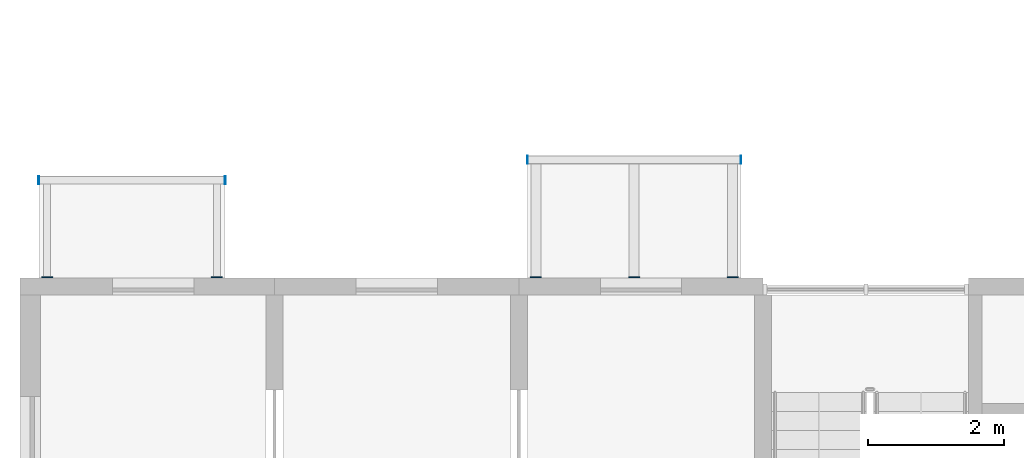
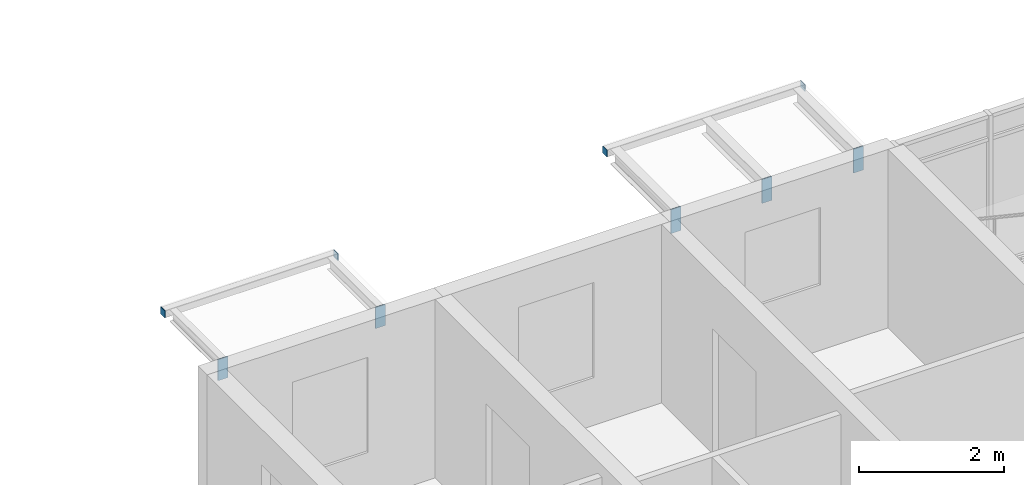
# One storey, part 65 of 100: 9 discrete accessories.
"""IFC4 building model written with IfcOpenShell, lengths in metres."""

import ifcopenshell
import ifcopenshell.guid

model = None  # the IFC model being written
_history = None  # IfcOwnerHistory: only IFC2X3 demands one
_inside = {}  # id of a spatial element -> (the spatial element, [elements in it])
_under = {}  # id of a project, library or spatial element -> (it, [spatial elements below it])
_declared = {}  # id of a project -> (the project, [libraries it declares])
_typed = {}  # id of a type object -> (the type object, [elements of that type])
_made_of = {}  # id of a material, layer set ... -> (it, [elements and type objects made of it])


def new_model(schema):
    """Start an empty IFC model of exactly this schema.

    Asked for "IFC4X3", IfcOpenShell would pick the latest addendum, in which some entities
    have other attributes; the version numbers below select the first issue.
    IFC2X3 requires an IfcOwnerHistory on every rooted entity: one is made here for all.
    """
    global model, _history
    if schema == "IFC4X3":
        model = ifcopenshell.file(schema_version=(4, 3, 0, 0))
    else:
        model = ifcopenshell.file(schema=schema)
    _inside.clear()
    _under.clear()
    _declared.clear()
    _typed.clear()
    _made_of.clear()
    _history = None
    if model.schema == "IFC2X3":
        org = make("IfcOrganization", Name="unknown")
        user = make(
            "IfcPersonAndOrganization",
            ThePerson=make("IfcPerson", FamilyName="unknown"),
            TheOrganization=org,
        )
        app = make(
            "IfcApplication",
            ApplicationDeveloper=org,
            Version="unknown",
            ApplicationFullName="unknown",
            ApplicationIdentifier="unknown",
        )
        _history = make(
            "IfcOwnerHistory",
            OwningUser=user,
            OwningApplication=app,
            ChangeAction="ADDED",
            CreationDate=0,
        )
    return model


def make(cls, **values):
    """One entity of the class cls with the attributes given. An attribute that is None is left unset."""
    return model.create_entity(
        cls, **{name: value for name, value in values.items() if value is not None}
    )


def rooted(cls, **values):
    """An entity with a GlobalId (a new one), such as an element, a storey or a relation."""
    return make(cls, GlobalId=ifcopenshell.guid.new(), OwnerHistory=_history, **values)


def si_unit(unit_type, name, prefix=None):
    """IfcSIUnit, for example si_unit("LENGTHUNIT", "METRE", prefix="MILLI")."""
    return make("IfcSIUnit", UnitType=unit_type, Prefix=prefix, Name=name)


def assignment(units):
    """IfcUnitAssignment: the units of a project."""
    return None if units is None else make("IfcUnitAssignment", Units=units)


def point(xyz):
    """IfcCartesianPoint."""
    return None if xyz is None else make("IfcCartesianPoint", Coordinates=xyz)


def direction(xyz):
    """IfcDirection."""
    return None if xyz is None else make("IfcDirection", DirectionRatios=xyz)


def frame(location, z_axis=None, x_axis=None):
    """IfcAxis2Placement3D, a coordinate frame: its origin and axes. An axis left out is left unset."""
    return make(
        "IfcAxis2Placement3D",
        Location=point(location),
        Axis=direction(z_axis),
        RefDirection=direction(x_axis),
    )


def frame_2d(location, x_axis=None):
    """IfcAxis2Placement2D, a coordinate frame in the plane: its origin and x axis."""
    return make(
        "IfcAxis2Placement2D", Location=point(location), RefDirection=direction(x_axis)
    )


def origin():
    """The frame at (0, 0, 0) with its axes left unset."""
    return frame((0.0, 0.0, 0.0))


def origin_2d():
    """The frame at (0, 0) in the plane with its x axis left unset."""
    return frame_2d((0.0, 0.0))


def place(relative_to, where):
    """IfcLocalPlacement: puts the frame where relative to a parent placement (None: the world)."""
    return make(
        "IfcLocalPlacement", PlacementRelTo=relative_to, RelativePlacement=where
    )


def context(
    kind, dimensions, precision=None, world=None, true_north=None, identifier=None
):
    """IfcGeometricRepresentationContext, for example the 3D "Model" context."""
    return make(
        "IfcGeometricRepresentationContext",
        ContextIdentifier=identifier,
        ContextType=kind,
        CoordinateSpaceDimension=dimensions,
        Precision=precision,
        WorldCoordinateSystem=world,
        TrueNorth=true_north,
    )


def subcontext(parent, identifier, kind, view, scale=None):
    """IfcGeometricRepresentationSubContext, for example "Body" below "Model"."""
    return make(
        "IfcGeometricRepresentationSubContext",
        ContextIdentifier=identifier,
        ContextType=kind,
        ParentContext=parent,
        TargetScale=scale,
        TargetView=view,
    )


def project(units=None, contexts=None):
    """IfcProject with its units and contexts."""
    return rooted(
        "IfcProject",
        Name="project",
        RepresentationContexts=contexts,
        UnitsInContext=assignment(units),
    )


def spatial(cls, under=None, at=None, **own):
    """A site, building, storey or space (cls), placed at a placement, below another one or the project."""
    s = rooted(cls, ObjectPlacement=at, **own)
    if under is not None:
        _under.setdefault(under.id(), (under, []))[1].append(s)
    return s


def profile(cls, at=None, kind="AREA", **sizes):
    """A parametric profile (cls). Its sizes go by their IFC names, for example OverallWidth=200.0."""
    return make(cls, ProfileType=kind, Position=at, **sizes)


def rectangle(**sizes):
    """IfcRectangleProfileDef."""
    return profile("IfcRectangleProfileDef", **sizes)


def extrude(swept, where, along, depth):
    """IfcExtrudedAreaSolid: the profile swept, set in the frame where, extruded along a direction by depth."""
    return make(
        "IfcExtrudedAreaSolid",
        SweptArea=swept,
        Position=where,
        ExtrudedDirection=direction(along),
        Depth=depth,
    )


def shape(context_of_items, identifier, shape_type, items):
    """IfcShapeRepresentation: the items that make up one representation, for example the "Body"."""
    return make(
        "IfcShapeRepresentation",
        ContextOfItems=context_of_items,
        RepresentationIdentifier=identifier,
        RepresentationType=shape_type,
        Items=items,
    )


def material(Name=None, Category=None):
    """IfcMaterial."""
    return make("IfcMaterial", Name=Name, Category=Category)


def layer(
    of_material, thickness, ventilated=None, Name=None, Category=None, Priority=None
):
    """IfcMaterialLayer: one layer of a wall or slab, of a material (None: an air gap)."""
    return make(
        "IfcMaterialLayer",
        Material=of_material,
        LayerThickness=thickness,
        IsVentilated=ventilated,
        Name=Name,
        Category=Category,
        Priority=Priority,
    )


def layer_set(layers, Name=None):
    """IfcMaterialLayerSet."""
    return make("IfcMaterialLayerSet", MaterialLayers=layers, LayerSetName=Name)


def made_of(thing, what):
    """Note that an element or type object is made of a material, layer set ...; save() writes the relation."""
    if what is not None:
        _made_of.setdefault(what.id(), (what, []))[1].append(thing)
    return thing


def type_object(cls, material=None, **own):
    """A type object (cls), such as IfcWallType, which elements share."""
    return made_of(rooted(cls, **own), material)


def element(
    cls,
    number,
    at=None,
    inside=None,
    cuts=None,
    type_object=None,
    material=None,
    context=None,
    identifier="Body",
    shape_type=None,
    held_by="IfcProductDefinitionShape",
    body=None,
    shapes=None,
    **own,
):
    """One element of the class cls, such as IfcWall. Its Tag is "e" and its number.

    at: its placement. inside: the storey or other place that contains it. cuts: it is an
    opening in that element (IfcRelVoidsElement). A single representation is given by context,
    identifier, shape_type and body (its items); several are given by shapes. held_by: the class
    of the entity that holds the representations. save() writes the other relations.
    """
    e = rooted(cls, Tag="e%d" % number, ObjectPlacement=at, **own)
    if body is not None:
        shapes = [shape(context, identifier, shape_type, body)]
    if shapes is not None:
        e.Representation = make(held_by, Representations=shapes)
    if inside is not None:
        _inside.setdefault(inside.id(), (inside, []))[1].append(e)
    if cuts is not None:
        rooted(
            "IfcRelVoidsElement", RelatingBuildingElement=cuts, RelatedOpeningElement=e
        )
    if type_object is not None:
        _typed.setdefault(type_object.id(), (type_object, []))[1].append(e)
    return made_of(e, material)


def aggregate(whole, parts):
    """IfcRelAggregates: a whole, such as a stair, and the parts it consists of."""
    return rooted("IfcRelAggregates", RelatingObject=whole, RelatedObjects=parts)


def save(model, path):
    """Write the relations noted so far, then the file.

    IfcRelAggregates (storeys below a building ...), IfcRelContainedInSpatialStructure (elements
    in a storey), IfcRelDefinesByType, IfcRelAssociatesMaterial and IfcRelDeclares: one each for
    every whole, place, type object, material and project.
    """
    for whole, parts in _under.values():
        aggregate(whole, parts)
    for where, things in _inside.values():
        rooted(
            "IfcRelContainedInSpatialStructure",
            RelatedElements=things,
            RelatingStructure=where,
        )
    for kind, things in _typed.values():
        rooted("IfcRelDefinesByType", RelatedObjects=things, RelatingType=kind)
    for what, things in _made_of.values():
        rooted("IfcRelAssociatesMaterial", RelatedObjects=things, RelatingMaterial=what)
    for by, libraries in _declared.values():
        rooted("IfcRelDeclares", RelatingContext=by, RelatedDefinitions=libraries)
    model.write(path)


model = new_model("IFC4")

# Units and contexts
model_context = context("Model", 3, precision=1e-05, world=origin(), true_north=direction((0.0, 1.0)))
body_context = subcontext(model_context, "Body", "Model", "MODEL_VIEW")
ifc_project = project(units=[si_unit("LENGTHUNIT", "METRE"), si_unit("AREAUNIT", "SQUARE_METRE"), si_unit("VOLUMEUNIT", "CUBIC_METRE"), si_unit("PLANEANGLEUNIT", "RADIAN"), si_unit("MASSUNIT", "GRAM", prefix="KILO")], contexts=[model_context])

# Site, building, storey
site_placement = place(None, origin())
site = spatial("IfcSite", under=ifc_project, at=site_placement, CompositionType="ELEMENT")
building_placement = place(site_placement, origin())
building = spatial("IfcBuilding", under=site, at=building_placement, Name="Ridgestep Commons", CompositionType="ELEMENT")
storey_placement = place(building_placement, frame((0.0, 0.0, 9.0)))
storey = spatial("IfcBuildingStorey", under=building, at=storey_placement, Name="L03", CompositionType="ELEMENT", Elevation=9.0)

# Discrete accessories
ifc_material_1 = material(Name="Weathering steel S355J2W", Category="steel")
ifc_layer_1 = layer(ifc_material_1, 0.014892578125)
ifc_layer_set_1 = layer_set([ifc_layer_1], Name="Tray bracket plate 15")
discrete_accessory_type_1 = type_object("IfcDiscreteAccessoryType", Name="Tray bracket plate 15", PredefinedType="BRACKET", material=ifc_layer_set_1)
for number, where, z_axis, x_axis, name in (
    (1, (12.25, 23.007568359375, 2.63671875), (0.0, 0.0, 1.0), (1.0, 0.0, 0.0), "Tray bracket A1T1-04.1"),
    (2, (14.75, 23.007568359375, 2.63671875), (0.0, 0.0, 1.0), (1.0, 0.0, 0.0), "Tray bracket A1T1-04.2"),
):
    element("IfcDiscreteAccessory", number, at=place(storey_placement, frame(where, z_axis=z_axis, x_axis=x_axis)), inside=storey, type_object=discrete_accessory_type_1, Name=name, PredefinedType="BRACKET", context=body_context, shape_type="SweptSolid", body=[
        extrude(rectangle(XDim=0.159912109375, YDim=0.014892578125, at=origin_2d()), origin(), (0.0, 0.0, 1.0), 0.353271484375),
    ])
for number, where, z_axis, x_axis, name in (
    (3, (19.449951171875, 23.007568359375, 2.588623046875), (0.0, 0.0, 1.0), (1.0, 0.0, 0.0), "Tray bracket A1T3-04.1"),
    (4, (20.89990234375, 23.007568359375, 2.588623046875), (0.0, 0.0, 1.0), (1.0, 0.0, 0.0), "Tray bracket A1T3-04.2"),
    (5, (22.35009765625, 23.007568359375, 2.588623046875), (0.0, 0.0, 1.0), (1.0, 0.0, 0.0), "Tray bracket A1T3-04.3"),
):
    element("IfcDiscreteAccessory", number, at=place(storey_placement, frame(where, z_axis=z_axis, x_axis=x_axis)), inside=storey, type_object=discrete_accessory_type_1, Name=name, PredefinedType="BRACKET", context=body_context, shape_type="SweptSolid", body=[
        extrude(rectangle(XDim=0.159912109375, YDim=0.014892578125, at=origin_2d()), origin(), (0.0, 0.0, 1.0), 0.4013671875),
    ])
ifc_material_2 = material(Name="Weathering steel S355J2W", Category="steel")
ifc_layer_2 = layer(ifc_material_2, 0.008056640625)
ifc_layer_set_2 = layer_set([ifc_layer_2], Name="Tray edge member end plate 120 x 120 x 8")
discrete_accessory_type_2 = type_object("IfcDiscreteAccessoryType", Name="Tray edge member end plate 120 x 120 x 8", PredefinedType="BRACKET", material=ifc_layer_set_2)
for number, where, z_axis, x_axis, name in (
    (6, (12.1259765625, 24.43994140625, 2.869873046875), (0.0, 0.0, 1.0), (1.0, 0.0, 0.0), "Tray edge member end plate A1T1-04 west"),
    (7, (14.8740234375, 24.43994140625, 2.869873046875), (0.0, 0.0, 1.0), (1.0, 0.0, 0.0), "Tray edge member end plate A1T1-04 east"),
    (8, (19.325927734375, 24.739990234375, 2.869873046875), (0.0, 0.0, 1.0), (1.0, 0.0, 0.0), "Tray edge member end plate A1T3-04 west"),
    (9, (22.47412109375, 24.739990234375, 2.869873046875), (0.0, 0.0, 1.0), (1.0, 0.0, 0.0), "Tray edge member end plate A1T3-04 east"),
):
    element("IfcDiscreteAccessory", number, at=place(storey_placement, frame(where, z_axis=z_axis, x_axis=x_axis)), inside=storey, type_object=discrete_accessory_type_2, Name=name, PredefinedType="BRACKET", context=body_context, shape_type="SweptSolid", body=[
        extrude(rectangle(XDim=0.008056640625, YDim=0.1201171875, at=origin_2d()), origin(), (0.0, 0.0, 1.0), 0.1201171875),
    ])

save(model, "model.ifc")
